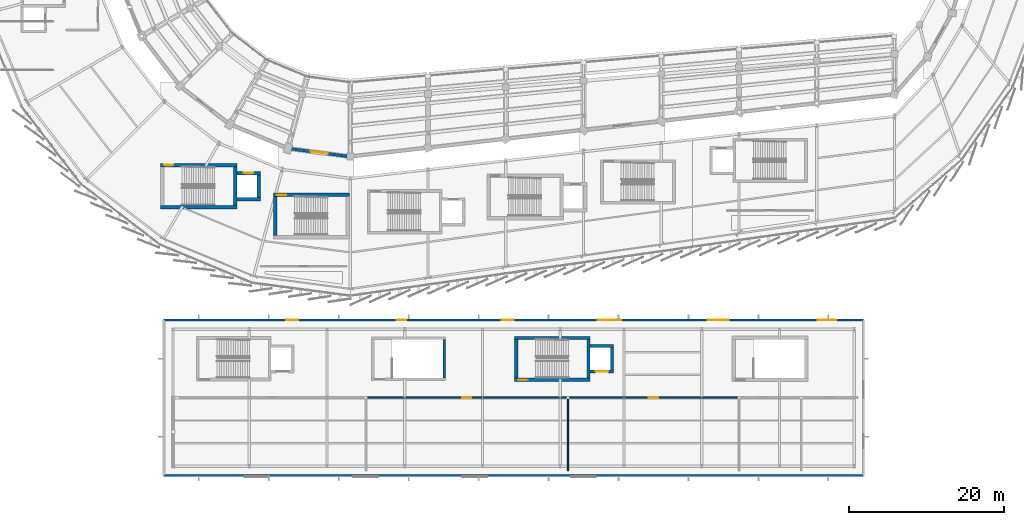
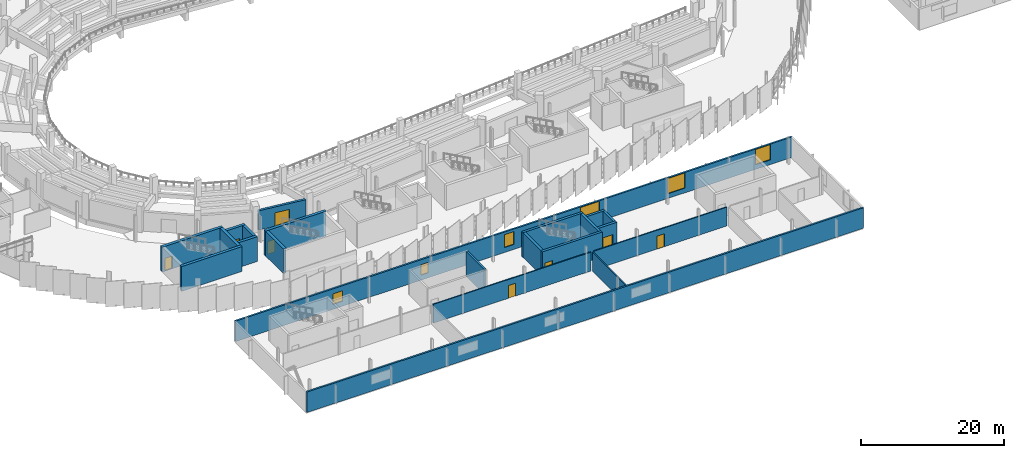
# One storey, part 99 of 120: 22 walls, 8 doors, 6 windows, 14 openings.
"""IFC4 building model written with IfcOpenShell, lengths in metres."""

from ifc_helpers import new_model, si_unit, direction, frame, frame_2d, origin, place, context, subcontext, project, spatial, rectangle, extrude, material, layer, layer_set, type_object, element, fill, save


model = new_model("IFC4")

# Units and contexts
model_context = context("Model", 3, precision=1e-05, world=origin(), true_north=direction((0.0, 1.0)))
body_context = subcontext(model_context, "Body", "Model", "MODEL_VIEW")
ifc_project = project(units=[si_unit("LENGTHUNIT", "METRE"), si_unit("AREAUNIT", "SQUARE_METRE"), si_unit("VOLUMEUNIT", "CUBIC_METRE"), si_unit("PLANEANGLEUNIT", "RADIAN"), si_unit("MASSUNIT", "GRAM", prefix="KILO")], contexts=[model_context])

# Site, building, storey
site_placement = place(None, origin())
site = spatial("IfcSite", under=ifc_project, at=site_placement, CompositionType="ELEMENT")
building_placement = place(site_placement, origin())
building = spatial("IfcBuilding", under=site, at=building_placement, Name="Sohan Crest Arena", CompositionType="ELEMENT")
storey_placement = place(building_placement, frame((0.0, 0.0, 13.5)))
storey = spatial("IfcBuildingStorey", under=building, at=storey_placement, Name="L03", CompositionType="ELEMENT", Elevation=13.5)

# Wall
ifc_material_1 = material(Name="Clinker brick and ceramic mosaic envelope wall", Category="masonry")
ifc_layer_1 = layer(ifc_material_1, 0.280029296875, Name="Clinker brick and ceramic mosaic envelope wall")
ifc_layer_set_1 = layer_set([ifc_layer_1], Name="Clinker brick and ceramic mosaic envelope wall")
wall_type_1 = type_object("IfcWallType", Name="WAL-EW02", PredefinedType="SOLIDWALL", material=ifc_layer_set_1)
wall_1_placement = place(storey_placement, frame((74.0, 6.0, 0.0), z_axis=(0.0, 0.0, 1.0), x_axis=(1.0, 0.0, 0.0)))
element("IfcWall", 1, at=wall_1_placement, inside=storey, type_object=wall_type_1, Name="External wall EW-138", PredefinedType="SOLIDWALL", context=body_context, shape_type="SweptSolid", body=[
    extrude(rectangle(XDim=90.0, YDim=0.280029296875, at=frame_2d((45.0, 0.0))), origin(), (0.0, 0.0, 1.0), 3.5),
])

# Wall, openings, windows
wall_2_placement = place(storey_placement, frame((164.0, 26.0, 0.0), z_axis=(0.0, 0.0, 1.0), x_axis=(-1.0, 0.0, 0.0)))
wall_2 = element("IfcWall", 2, at=wall_2_placement, inside=storey, type_object=wall_type_1, Name="External wall EW-140", PredefinedType="SOLIDWALL", context=body_context, shape_type="SweptSolid", body=[
    extrude(rectangle(XDim=90.0, YDim=0.280029296875, at=frame_2d((45.0, 0.0))), origin(), (0.0, 0.0, 1.0), 3.5),
])
opening_1_placement = place(wall_2_placement, frame((3.5, 0.0, 0.800048828125)))
opening_1 = element("IfcOpeningElement", 3, at=opening_1_placement, cuts=wall_2, Name="Opening W-067", PredefinedType="OPENING", context=body_context, shape_type="SweptSolid", body=[
    extrude(rectangle(XDim=2.39990234375, YDim=2.60009765625, at=frame_2d((1.199951171875, 1.300048828125))), frame((0.0, 0.14990234375, 0.0), z_axis=(0.0, -1.0, 0.0), x_axis=(1.0, 0.0, 0.0)), (0.0, 0.0, 1.0), 0.300048828125),
])
opening_2_placement = place(wall_2_placement, frame((17.3330078125, 0.0, 0.800048828125)))
opening_2 = element("IfcOpeningElement", 4, at=opening_2_placement, cuts=wall_2, Name="Opening W-068", PredefinedType="OPENING", context=body_context, shape_type="SweptSolid", body=[
    extrude(rectangle(XDim=2.699951171875, YDim=2.60009765625, at=frame_2d((1.35009765625, 1.300048828125))), frame((0.0, 0.14990234375, 0.0), z_axis=(0.0, -1.0, 0.0), x_axis=(1.0, 0.0, 0.0)), (0.0, 0.0, 1.0), 0.300048828125),
])
opening_3_placement = place(wall_2_placement, frame((31.1669921875, 0.0, 0.60009765625)))
opening_3 = element("IfcOpeningElement", 5, at=opening_3_placement, cuts=wall_2, Name="Opening W-069", PredefinedType="OPENING", context=body_context, shape_type="SweptSolid", body=[
    extrude(rectangle(XDim=3.0, YDim=2.800048828125, at=frame_2d((1.5, 1.39990234375))), frame((0.0, 0.14990234375, 0.0), z_axis=(0.0, -1.0, 0.0), x_axis=(1.0, 0.0, 0.0)), (0.0, 0.0, 1.0), 0.300048828125),
])
opening_4_placement = place(wall_2_placement, frame((45.0, 0.0, 0.85009765625)))
opening_4 = element("IfcOpeningElement", 6, at=opening_4_placement, cuts=wall_2, Name="Opening W-070", PredefinedType="OPENING", context=body_context, shape_type="SweptSolid", body=[
    extrude(rectangle(XDim=1.5, YDim=2.199951171875, at=frame_2d((0.75, 1.10009765625))), frame((0.0, 0.14990234375, 0.0), z_axis=(0.0, -1.0, 0.0), x_axis=(1.0, 0.0, 0.0)), (0.0, 0.0, 1.0), 0.300048828125),
])
opening_5_placement = place(wall_2_placement, frame((58.8330078125, 0.0, 0.85009765625)))
opening_5 = element("IfcOpeningElement", 7, at=opening_5_placement, cuts=wall_2, Name="Opening W-071", PredefinedType="OPENING", context=body_context, shape_type="SweptSolid", body=[
    extrude(rectangle(XDim=1.199951171875, YDim=1.800048828125, at=frame_2d((0.60009765625, 0.89990234375))), frame((0.0, 0.14990234375, 0.0), z_axis=(0.0, -1.0, 0.0), x_axis=(1.0, 0.0, 0.0)), (0.0, 0.0, 1.0), 0.300048828125),
])
opening_6_placement = place(wall_2_placement, frame((72.6669921875, 0.0, 0.85009765625)))
opening_6 = element("IfcOpeningElement", 8, at=opening_6_placement, cuts=wall_2, Name="Opening W-072", PredefinedType="OPENING", context=body_context, shape_type="SweptSolid", body=[
    extrude(rectangle(XDim=1.60009765625, YDim=1.800048828125, at=frame_2d((0.800048828125, 0.89990234375))), frame((0.0, 0.14990234375, 0.0), z_axis=(0.0, -1.0, 0.0), x_axis=(1.0, 0.0, 0.0)), (0.0, 0.0, 1.0), 0.300048828125),
])
ifc_material_2 = material(Name="Low-E double-glazed insulated glass", Category="glass")
window_type_1 = type_object("IfcWindowType", Name="WIN-W03", PartitioningType="SINGLE_PANEL", PredefinedType="WINDOW", material=ifc_material_2)
window_1_placement = place(opening_1_placement, origin())
window_1 = element("IfcWindow", 9, at=window_1_placement, inside=storey, type_object=window_type_1, Name="Catalan arched wing window W-067", OverallHeight=2.60009765625, OverallWidth=2.39990234375, PartitioningType="SINGLE_PANEL", PredefinedType="WINDOW", context=body_context, shape_type="SweptSolid", body=[
    extrude(rectangle(XDim=2.39990234375, YDim=2.60009765625, at=frame_2d((1.199951171875, 1.300048828125))), frame((0.0, 0.030029296875, 0.0), z_axis=(0.0, -1.0, 0.0), x_axis=(1.0, 0.0, 0.0)), (0.0, 0.0, 1.0), 0.06005859375),
])
fill(opening_1, window_1)
window_type_2 = type_object("IfcWindowType", Name="WIN-W04", PartitioningType="SINGLE_PANEL", PredefinedType="WINDOW", material=ifc_material_2)
window_2_placement = place(opening_2_placement, origin())
window_2 = element("IfcWindow", 10, at=window_2_placement, inside=storey, type_object=window_type_2, Name="Catalan arched wing window W-068", OverallHeight=2.60009765625, OverallWidth=2.699951171875, PartitioningType="SINGLE_PANEL", PredefinedType="WINDOW", context=body_context, shape_type="SweptSolid", body=[
    extrude(rectangle(XDim=2.699951171875, YDim=2.60009765625, at=frame_2d((1.35009765625, 1.300048828125))), frame((0.0, 0.030029296875, 0.0), z_axis=(0.0, -1.0, 0.0), x_axis=(1.0, 0.0, 0.0)), (0.0, 0.0, 1.0), 0.06005859375),
])
fill(opening_2, window_2)
window_type_3 = type_object("IfcWindowType", Name="WIN-W05", PartitioningType="SINGLE_PANEL", PredefinedType="WINDOW", material=ifc_material_2)
window_3_placement = place(opening_3_placement, origin())
window_3 = element("IfcWindow", 11, at=window_3_placement, inside=storey, type_object=window_type_3, Name="Catalan arched wing window W-069", OverallHeight=2.800048828125, OverallWidth=3.0, PartitioningType="SINGLE_PANEL", PredefinedType="WINDOW", context=body_context, shape_type="SweptSolid", body=[
    extrude(rectangle(XDim=3.0, YDim=2.800048828125, at=frame_2d((1.5, 1.39990234375))), frame((0.0, 0.030029296875, 0.0), z_axis=(0.0, -1.0, 0.0), x_axis=(1.0, 0.0, 0.0)), (0.0, 0.0, 1.0), 0.06005859375),
])
fill(opening_3, window_3)
window_type_4 = type_object("IfcWindowType", Name="WIN-W06", PartitioningType="SINGLE_PANEL", PredefinedType="WINDOW", material=ifc_material_2)
window_4_placement = place(opening_4_placement, origin())
window_4 = element("IfcWindow", 12, at=window_4_placement, inside=storey, type_object=window_type_4, Name="Catalan arched wing window W-070", OverallHeight=2.199951171875, OverallWidth=1.5, PartitioningType="SINGLE_PANEL", PredefinedType="WINDOW", context=body_context, shape_type="SweptSolid", body=[
    extrude(rectangle(XDim=1.5, YDim=2.199951171875, at=frame_2d((0.75, 1.10009765625))), frame((0.0, 0.030029296875, 0.0), z_axis=(0.0, -1.0, 0.0), x_axis=(1.0, 0.0, 0.0)), (0.0, 0.0, 1.0), 0.06005859375),
])
fill(opening_4, window_4)
window_type_5 = type_object("IfcWindowType", Name="WIN-W07", PartitioningType="SINGLE_PANEL", PredefinedType="WINDOW", material=ifc_material_2)
window_5_placement = place(opening_5_placement, origin())
window_5 = element("IfcWindow", 13, at=window_5_placement, inside=storey, type_object=window_type_5, Name="Catalan arched wing window W-071", OverallHeight=1.800048828125, OverallWidth=1.199951171875, PartitioningType="SINGLE_PANEL", PredefinedType="WINDOW", context=body_context, shape_type="SweptSolid", body=[
    extrude(rectangle(XDim=1.199951171875, YDim=1.800048828125, at=frame_2d((0.60009765625, 0.89990234375))), frame((0.0, 0.030029296875, 0.0), z_axis=(0.0, -1.0, 0.0), x_axis=(1.0, 0.0, 0.0)), (0.0, 0.0, 1.0), 0.06005859375),
])
fill(opening_5, window_5)
window_type_6 = type_object("IfcWindowType", Name="WIN-W08", PartitioningType="SINGLE_PANEL", PredefinedType="WINDOW", material=ifc_material_2)
window_6_placement = place(opening_6_placement, origin())
window_6 = element("IfcWindow", 14, at=window_6_placement, inside=storey, type_object=window_type_6, Name="Catalan arched wing window W-072", OverallHeight=1.800048828125, OverallWidth=1.60009765625, PartitioningType="SINGLE_PANEL", PredefinedType="WINDOW", context=body_context, shape_type="SweptSolid", body=[
    extrude(rectangle(XDim=1.60009765625, YDim=1.800048828125, at=frame_2d((0.800048828125, 0.89990234375))), frame((0.0, 0.030029296875, 0.0), z_axis=(0.0, -1.0, 0.0), x_axis=(1.0, 0.0, 0.0)), (0.0, 0.0, 1.0), 0.06005859375),
])
fill(opening_6, window_6)

# Wall, opening, door
ifc_material_3 = material(Name="Acoustic insulated bowl drum enclosure wall", Category="masonry")
ifc_layer_2 = layer(ifc_material_3, 0.3701171875, Name="Acoustic insulated bowl drum enclosure wall")
ifc_layer_set_2 = layer_set([ifc_layer_2], Name="Acoustic insulated bowl drum enclosure wall")
wall_type_2 = type_object("IfcWallType", Name="WAL-EW05", PredefinedType="SOLIDWALL", material=ifc_layer_set_2)
wall_3_placement = place(storey_placement, frame((90.4130859375, 47.9990234375, 0.0), z_axis=(0.0, 0.0, 1.0), x_axis=(0.991432160885, -0.130622625772, 0.0)))
wall_3 = element("IfcWall", 15, at=wall_3_placement, inside=storey, type_object=wall_type_2, Name="Acoustic bowl drum wall BW-L03-12", PredefinedType="SOLIDWALL", context=body_context, shape_type="SweptSolid", body=[
    extrude(rectangle(XDim=7.212646484375, YDim=0.3701171875, at=frame_2d((3.6064453125, 0.0))), origin(), (0.0, 0.0, 1.0), 3.300048828125),
])
opening_7_placement = place(wall_3_placement, frame((2.506103515625, 0.0, 0.0)))
opening_7 = element("IfcOpeningElement", 16, at=opening_7_placement, cuts=wall_3, Name="Opening VD-L03-12", PredefinedType="OPENING", context=body_context, shape_type="SweptSolid", body=[
    extrude(rectangle(XDim=2.199951171875, YDim=2.300048828125, at=frame_2d((1.10009765625, 1.14990234375))), frame((0.0, 0.195068359375, 0.0), z_axis=(0.0, -1.0, 0.0), x_axis=(1.0, 0.0, 0.0)), (0.0, 0.0, 1.0), 0.39013671875),
])
ifc_material_4 = material(Name="Fire-rated steel double escape door", Category="steel")
door_type_1 = type_object("IfcDoorType", Name="DR-FD01", OperationType="DOUBLE_DOOR_SINGLE_SWING", PredefinedType="DOOR", material=ifc_material_4)
door_1_placement = place(opening_7_placement, origin())
door_1 = element("IfcDoor", 17, at=door_1_placement, inside=storey, type_object=door_type_1, Name="Bowl vomitory portal fire door VD-L03-12", OperationType="DOUBLE_DOOR_SINGLE_SWING", OverallHeight=2.300048828125, OverallWidth=2.199951171875, PredefinedType="DOOR", context=body_context, shape_type="SweptSolid", body=[
    extrude(rectangle(XDim=2.199951171875, YDim=2.300048828125, at=frame_2d((1.10009765625, 1.14990234375))), frame((0.0, 0.02490234375, 0.0), z_axis=(0.0, -1.0, 0.0), x_axis=(1.0, 0.0, 0.0)), (0.0, 0.0, 1.0), 0.050048828125),
])
fill(opening_7, door_1)

ifc_material_5 = material(Name="Back-of-house masonry room partition", Category="masonry")
ifc_layer_3 = layer(ifc_material_5, 0.179931640625, Name="Back-of-house masonry room partition")
ifc_layer_set_3 = layer_set([ifc_layer_3], Name="Back-of-house masonry room partition")
wall_type_3 = type_object("IfcWallType", Name="WAL-PW05", PredefinedType="PARTITIONING", material=ifc_layer_set_3)
wall_4_placement = place(storey_placement, frame((100.25, 16.0, 0.0), z_axis=(0.0, 0.0, 1.0), x_axis=(1.0, 0.0, 0.0)))
wall_4 = element("IfcWall", 18, at=wall_4_placement, inside=storey, type_object=wall_type_3, Name="Interior partition wall PW-0932", PredefinedType="PARTITIONING", context=body_context, shape_type="SweptSolid", body=[
    extrude(rectangle(XDim=25.5, YDim=0.179931640625, at=frame_2d((12.75, 0.0))), origin(), (0.0, 0.0, 1.0), 3.219970703125),
])
opening_8_placement = place(wall_4_placement, frame((12.179931640625, 0.0, 0.0)))
opening_8 = element("IfcOpeningElement", 19, at=opening_8_placement, cuts=wall_4, Name="Opening V5D-0284", PredefinedType="OPENING", context=body_context, shape_type="SweptSolid", body=[
    extrude(rectangle(XDim=1.139892578125, YDim=2.179931640625, at=frame_2d((0.56982421875, 1.08984375))), frame((0.0, 0.099853515625, 0.0), z_axis=(0.0, -1.0, 0.0), x_axis=(1.0, 0.0, 0.0)), (0.0, 0.0, 1.0), 0.199951171875),
])
ifc_material_6 = material(Name="Solid oak acoustic room door", Category="wood")
door_type_2 = type_object("IfcDoorType", Name="DR-ID11", OperationType="NOTDEFINED", PredefinedType="DOOR", material=ifc_material_6)
door_2_placement = place(opening_8_placement, origin())
door_2 = element("IfcDoor", 20, at=door_2_placement, inside=storey, type_object=door_type_2, Name="Electrical Switchboard Room door V5D-0284", OperationType="SINGLE_SWING_LEFT", OverallHeight=2.179931640625, OverallWidth=1.139892578125, PredefinedType="DOOR", context=body_context, shape_type="SweptSolid", body=[
    extrude(rectangle(XDim=1.139892578125, YDim=2.179931640625, at=frame_2d((0.56982421875, 1.08984375))), frame((0.0, 0.02490234375, 0.0), z_axis=(0.0, -1.0, 0.0), x_axis=(1.0, 0.0, 0.0)), (0.0, 0.0, 1.0), 0.050048828125),
])
fill(opening_8, door_2)

# Wall
wall_5_placement = place(storey_placement, frame((126.0, 6.60009765625, 0.0), z_axis=(0.0, 0.0, 1.0), x_axis=(0.0, 1.0, 0.0)))
element("IfcWall", 21, at=wall_5_placement, inside=storey, type_object=wall_type_3, Name="Interior partition wall PW-0933", PredefinedType="PARTITIONING", context=body_context, shape_type="SweptSolid", body=[
    extrude(rectangle(XDim=9.199951171875, YDim=0.179931640625, at=frame_2d((4.60009765625, 0.0))), origin(), (0.0, 0.0, 1.0), 3.219970703125),
])

# Wall, opening, door
wall_6_placement = place(storey_placement, frame((126.25, 16.0, 0.0), z_axis=(0.0, 0.0, 1.0), x_axis=(1.0, 0.0, 0.0)))
wall_6 = element("IfcWall", 22, at=wall_6_placement, inside=storey, type_object=wall_type_3, Name="Interior partition wall PW-0934", PredefinedType="PARTITIONING", context=body_context, shape_type="SweptSolid", body=[
    extrude(rectangle(XDim=21.5, YDim=0.179931640625, at=frame_2d((10.75, 0.0))), origin(), (0.0, 0.0, 1.0), 3.219970703125),
])
opening_9_placement = place(wall_6_placement, frame((10.1298828125, 0.0, 0.0)))
opening_9 = element("IfcOpeningElement", 23, at=opening_9_placement, cuts=wall_6, Name="Opening V5D-0285", PredefinedType="OPENING", context=body_context, shape_type="SweptSolid", body=[
    extrude(rectangle(XDim=1.239990234375, YDim=2.199951171875, at=frame_2d((0.6201171875, 1.10009765625))), frame((0.0, 0.099853515625, 0.0), z_axis=(0.0, -1.0, 0.0), x_axis=(1.0, 0.0, 0.0)), (0.0, 0.0, 1.0), 0.199951171875),
])
door_type_3 = type_object("IfcDoorType", Name="DR-ID12", OperationType="NOTDEFINED", PredefinedType="DOOR", material=ifc_material_6)
door_3_placement = place(opening_9_placement, origin())
door_3 = element("IfcDoor", 24, at=door_3_placement, inside=storey, type_object=door_type_3, Name="Scoreboard and Rigging Workshop door V5D-0285", OperationType="SINGLE_SWING_RIGHT", OverallHeight=2.199951171875, OverallWidth=1.239990234375, PredefinedType="DOOR", context=body_context, shape_type="SweptSolid", body=[
    extrude(rectangle(XDim=1.239990234375, YDim=2.199951171875, at=frame_2d((0.6201171875, 1.10009765625))), frame((0.0, 0.02490234375, 0.0), z_axis=(0.0, -1.0, 0.0), x_axis=(1.0, 0.0, 0.0)), (0.0, 0.0, 1.0), 0.050048828125),
])
fill(opening_9, door_3)

# Walls
ifc_material_7 = material(Name="Concrete C40/50", Category="concrete")
ifc_layer_4 = layer(ifc_material_7, 0.300048828125, Name="Concrete C40/50")
ifc_layer_set_4 = layer_set([ifc_layer_4], Name="Concrete C40/50")
wall_type_4 = type_object("IfcWallType", Name="WAL-SW01", PredefinedType="SHEAR", material=ifc_layer_set_4)
wall_7_placement = place(storey_placement, frame((110.10009765625, 18.5, 0.0), z_axis=(0.0, 0.0, 1.0), x_axis=(0.0, 1.0, 0.0)))
element("IfcWall", 25, at=wall_7_placement, inside=storey, type_object=wall_type_4, Name="Core shear wall SW-0524", PredefinedType="SHEAR", context=body_context, shape_type="SweptSolid", body=[
    extrude(rectangle(XDim=5.0, YDim=0.300048828125, at=frame_2d((2.5, 0.0))), origin(), (0.0, 0.0, 1.0), 4.25),
])
ifc_layer_5 = layer(ifc_material_7, 0.39990234375, Name="Concrete C40/50")
ifc_layer_set_5 = layer_set([ifc_layer_5], Name="Concrete C40/50")
wall_type_5 = type_object("IfcWallType", Name="WAL-SW03", PredefinedType="SHEAR", material=ifc_layer_set_5)
for number, where, z_axis, x_axis, name in (
    (26, (119.35009765625, 18.5, 0.0), (0.0, 0.0, 1.0), (0.0, 1.0, 0.0), "Core shear wall SW-0719"),
    (27, (128.64990234375, 18.5, 0.0), (0.0, 0.0, 1.0), (0.0, 1.0, 0.0), "Core shear wall SW-0720"),
):
    element("IfcWall", number, at=place(storey_placement, frame(where, z_axis=z_axis, x_axis=x_axis)), inside=storey, type_object=wall_type_5, Name=name, PredefinedType="SHEAR", context=body_context, shape_type="SweptSolid", body=[
        extrude(rectangle(XDim=5.0, YDim=0.39990234375, at=frame_2d((2.5, 0.0))), origin(), (0.0, 0.0, 1.0), 4.25),
    ])

# Wall, opening, door
wall_8_placement = place(storey_placement, frame((119.14990234375, 18.300048828125, 0.0), z_axis=(0.0, 0.0, 1.0), x_axis=(1.0, 0.0, 0.0)))
wall_8 = element("IfcWall", 28, at=wall_8_placement, inside=storey, type_object=wall_type_5, Name="Core shear wall SW-0721", PredefinedType="SHEAR", context=body_context, shape_type="SweptSolid", body=[
    extrude(rectangle(XDim=9.7001953125, YDim=0.39990234375, at=frame_2d((4.85009765625, 0.0))), origin(), (0.0, 0.0, 1.0), 4.25),
])
opening_10_placement = place(wall_8_placement, frame((0.449951171875, 0.0, 0.0)))
opening_10 = element("IfcOpeningElement", 29, at=opening_10_placement, cuts=wall_8, Name="Opening SD-0195", PredefinedType="OPENING", context=body_context, shape_type="SweptSolid", body=[
    extrude(rectangle(XDim=1.199951171875, YDim=2.199951171875, at=frame_2d((0.60009765625, 1.10009765625))), frame((0.0, 0.2099609375, 0.0), z_axis=(0.0, -1.0, 0.0), x_axis=(1.0, 0.0, 0.0)), (0.0, 0.0, 1.0), 0.419921875),
])
ifc_material_8 = material(Name="Fire-rated steel stair and lobby door", Category="steel")
door_type_4 = type_object("IfcDoorType", Name="DR-FD04", OperationType="NOTDEFINED", PredefinedType="DOOR", material=ifc_material_8)
door_4_placement = place(opening_10_placement, frame((1.199951171875, 0.0, 0.0), z_axis=(0.0, 0.0, 1.0), x_axis=(-1.0, 0.0, 0.0)))
door_4 = element("IfcDoor", 30, at=door_4_placement, inside=storey, type_object=door_type_4, Name="Protected stair door SD-0195", OperationType="SINGLE_SWING_LEFT", OverallHeight=2.199951171875, OverallWidth=1.199951171875, PredefinedType="DOOR", context=body_context, shape_type="SweptSolid", body=[
    extrude(rectangle(XDim=1.199951171875, YDim=2.199951171875, at=frame_2d((0.60009765625, 1.10009765625))), frame((0.0, 0.02490234375, 0.0), z_axis=(0.0, -1.0, 0.0), x_axis=(1.0, 0.0, 0.0)), (0.0, 0.0, 1.0), 0.050048828125),
])
fill(opening_10, door_4)

# Walls
wall_9_placement = place(storey_placement, frame((119.14990234375, 23.699951171875, 0.0), z_axis=(0.0, 0.0, 1.0), x_axis=(1.0, 0.0, 0.0)))
element("IfcWall", 31, at=wall_9_placement, inside=storey, type_object=wall_type_5, Name="Core shear wall SW-0722", PredefinedType="SHEAR", context=body_context, shape_type="SweptSolid", body=[
    extrude(rectangle(XDim=9.7001953125, YDim=0.39990234375, at=frame_2d((4.85009765625, 0.0))), origin(), (0.0, 0.0, 1.0), 4.25),
])
wall_10_placement = place(storey_placement, frame((131.64990234375, 19.550048828125, 0.0), z_axis=(0.0, 0.0, 1.0), x_axis=(0.0, 1.0, 0.0)))
element("IfcWall", 32, at=wall_10_placement, inside=storey, type_object=wall_type_5, Name="Core shear wall SW-0723", PredefinedType="SHEAR", context=body_context, shape_type="SweptSolid", body=[
    extrude(rectangle(XDim=2.89990234375, YDim=0.39990234375, at=frame_2d((1.449951171875, 0.0))), origin(), (0.0, 0.0, 1.0), 4.25),
])

# Wall, opening, door
wall_11_placement = place(storey_placement, frame((128.85009765625, 19.35009765625, 0.0), z_axis=(0.0, 0.0, 1.0), x_axis=(1.0, 0.0, 0.0)))
wall_11 = element("IfcWall", 33, at=wall_11_placement, inside=storey, type_object=wall_type_5, Name="Core shear wall SW-0724", PredefinedType="SHEAR", context=body_context, shape_type="SweptSolid", body=[
    extrude(rectangle(XDim=3.0, YDim=0.39990234375, at=frame_2d((1.5, 0.0))), origin(), (0.0, 0.0, 1.0), 4.25),
])
opening_11_placement = place(wall_11_placement, frame((0.699951171875, 0.0, 0.0)))
opening_11 = element("IfcOpeningElement", 34, at=opening_11_placement, cuts=wall_11, Name="Opening LD-GF02-L03", PredefinedType="OPENING", context=body_context, shape_type="SweptSolid", body=[
    extrude(rectangle(XDim=1.60009765625, YDim=2.35009765625, at=frame_2d((0.800048828125, 1.175048828125))), frame((0.0, 0.2099609375, 0.0), z_axis=(0.0, -1.0, 0.0), x_axis=(1.0, 0.0, 0.0)), (0.0, 0.0, 1.0), 0.419921875),
])
ifc_material_9 = material(Name="Stainless steel goods lift landing door", Category="steel")
door_type_5 = type_object("IfcDoorType", Name="DR-LD03", OperationType="SLIDING_TO_LEFT", PredefinedType="DOOR", material=ifc_material_9)
door_5_placement = place(opening_11_placement, origin())
door_5 = element("IfcDoor", 35, at=door_5_placement, inside=storey, type_object=door_type_5, Name="Sliding lift landing door LD-GF02-L03", OperationType="SLIDING_TO_LEFT", OverallHeight=2.35009765625, OverallWidth=1.60009765625, PredefinedType="DOOR", context=body_context, shape_type="SweptSolid", body=[
    extrude(rectangle(XDim=1.60009765625, YDim=2.35009765625, at=frame_2d((0.800048828125, 1.175048828125))), frame((0.0, 0.02490234375, 0.0), z_axis=(0.0, -1.0, 0.0), x_axis=(1.0, 0.0, 0.0)), (0.0, 0.0, 1.0), 0.050048828125),
])
fill(opening_11, door_5)

# Walls
wall_12_placement = place(storey_placement, frame((128.85009765625, 22.64990234375, 0.0), z_axis=(0.0, 0.0, 1.0), x_axis=(1.0, 0.0, 0.0)))
element("IfcWall", 36, at=wall_12_placement, inside=storey, type_object=wall_type_5, Name="Core shear wall SW-0725", PredefinedType="SHEAR", context=body_context, shape_type="SweptSolid", body=[
    extrude(rectangle(XDim=3.0, YDim=0.39990234375, at=frame_2d((1.5, 0.0))), origin(), (0.0, 0.0, 1.0), 4.25),
])
ifc_layer_6 = layer(ifc_material_7, 0.449951171875, Name="Concrete C40/50")
ifc_layer_set_6 = layer_set([ifc_layer_6], Name="Concrete C40/50")
wall_type_6 = type_object("IfcWallType", Name="WAL-SW04", PredefinedType="SHEAR", material=ifc_layer_set_6)
wall_13_placement = place(storey_placement, frame((83.175048828125, 40.699951171875, 0.0), z_axis=(0.0, 0.0, 1.0), x_axis=(0.0, 1.0, 0.0)))
element("IfcWall", 37, at=wall_13_placement, inside=storey, type_object=wall_type_6, Name="Core shear wall SW-0170", PredefinedType="SHEAR", context=body_context, shape_type="SweptSolid", body=[
    extrude(rectangle(XDim=5.0, YDim=0.449951171875, at=frame_2d((2.5, 0.0))), origin(), (0.0, 0.0, 1.0), 4.25),
])
wall_14_placement = place(storey_placement, frame((73.60009765625, 40.47509765625, 0.0), z_axis=(0.0, 0.0, 1.0), x_axis=(1.0, 0.0, 0.0)))
element("IfcWall", 38, at=wall_14_placement, inside=storey, type_object=wall_type_6, Name="Core shear wall SW-0171", PredefinedType="SHEAR", context=body_context, shape_type="SweptSolid", body=[
    extrude(rectangle(XDim=9.7998046875, YDim=0.449951171875, at=frame_2d((4.89990234375, 0.0))), origin(), (0.0, 0.0, 1.0), 4.25),
])

# Wall, opening, door
wall_15_placement = place(storey_placement, frame((73.60009765625, 45.925048828125, 0.0), z_axis=(0.0, 0.0, 1.0), x_axis=(1.0, 0.0, 0.0)))
wall_15 = element("IfcWall", 39, at=wall_15_placement, inside=storey, type_object=wall_type_6, Name="Core shear wall SW-0172", PredefinedType="SHEAR", context=body_context, shape_type="SweptSolid", body=[
    extrude(rectangle(XDim=9.7998046875, YDim=0.449951171875, at=frame_2d((4.89990234375, 0.0))), origin(), (0.0, 0.0, 1.0), 4.25),
])
opening_12_placement = place(wall_15_placement, frame((0.449951171875, 0.0, 0.0)))
opening_12 = element("IfcOpeningElement", 40, at=opening_12_placement, cuts=wall_15, Name="Opening SD-0051", PredefinedType="OPENING", context=body_context, shape_type="SweptSolid", body=[
    extrude(rectangle(XDim=1.199951171875, YDim=2.199951171875, at=frame_2d((0.60009765625, 1.10009765625))), frame((0.0, 0.23486328125, 0.0), z_axis=(0.0, -1.0, 0.0), x_axis=(1.0, 0.0, 0.0)), (0.0, 0.0, 1.0), 0.469970703125),
])
door_6_placement = place(opening_12_placement, origin())
door_6 = element("IfcDoor", 41, at=door_6_placement, inside=storey, type_object=door_type_4, Name="Protected stair door SD-0051", OperationType="SINGLE_SWING_LEFT", OverallHeight=2.199951171875, OverallWidth=1.199951171875, PredefinedType="DOOR", context=body_context, shape_type="SweptSolid", body=[
    extrude(rectangle(XDim=1.199951171875, YDim=2.199951171875, at=frame_2d((0.60009765625, 1.10009765625))), frame((0.0, 0.02490234375, 0.0), z_axis=(0.0, -1.0, 0.0), x_axis=(1.0, 0.0, 0.0)), (0.0, 0.0, 1.0), 0.050048828125),
])
fill(opening_12, door_6)

# Walls
wall_16_placement = place(storey_placement, frame((86.22509765625, 41.75, 0.0), z_axis=(0.0, 0.0, 1.0), x_axis=(0.0, 1.0, 0.0)))
element("IfcWall", 42, at=wall_16_placement, inside=storey, type_object=wall_type_6, Name="Core shear wall SW-0173", PredefinedType="SHEAR", context=body_context, shape_type="SweptSolid", body=[
    extrude(rectangle(XDim=2.89990234375, YDim=0.449951171875, at=frame_2d((1.449951171875, 0.0))), origin(), (0.0, 0.0, 1.0), 4.25),
])
wall_17_placement = place(storey_placement, frame((83.39990234375, 41.52490234375, 0.0), z_axis=(0.0, 0.0, 1.0), x_axis=(1.0, 0.0, 0.0)))
element("IfcWall", 43, at=wall_17_placement, inside=storey, type_object=wall_type_6, Name="Core shear wall SW-0174", PredefinedType="SHEAR", context=body_context, shape_type="SweptSolid", body=[
    extrude(rectangle(XDim=3.050048828125, YDim=0.449951171875, at=frame_2d((1.52490234375, 0.0))), origin(), (0.0, 0.0, 1.0), 4.25),
])

# Wall, opening, door
wall_18_placement = place(storey_placement, frame((83.39990234375, 44.875, 0.0), z_axis=(0.0, 0.0, 1.0), x_axis=(1.0, 0.0, 0.0)))
wall_18 = element("IfcWall", 44, at=wall_18_placement, inside=storey, type_object=wall_type_6, Name="Core shear wall SW-0175", PredefinedType="SHEAR", context=body_context, shape_type="SweptSolid", body=[
    extrude(rectangle(XDim=3.050048828125, YDim=0.449951171875, at=frame_2d((1.52490234375, 0.0))), origin(), (0.0, 0.0, 1.0), 4.25),
])
opening_13_placement = place(wall_18_placement, frame((0.925048828125, 0.0, 0.0)))
opening_13 = element("IfcOpeningElement", 45, at=opening_13_placement, cuts=wall_18, Name="Opening LD-LP01-L03", PredefinedType="OPENING", context=body_context, shape_type="SweptSolid", body=[
    extrude(rectangle(XDim=1.199951171875, YDim=2.199951171875, at=frame_2d((0.60009765625, 1.10009765625))), frame((0.0, 0.23486328125, 0.0), z_axis=(0.0, -1.0, 0.0), x_axis=(1.0, 0.0, 0.0)), (0.0, 0.0, 1.0), 0.469970703125),
])
ifc_material_10 = material(Name="Stainless steel passenger lift landing door", Category="steel")
door_type_6 = type_object("IfcDoorType", Name="DR-LD02", OperationType="SLIDING_TO_LEFT", PredefinedType="DOOR", material=ifc_material_10)
door_7_placement = place(opening_13_placement, origin())
door_7 = element("IfcDoor", 46, at=door_7_placement, inside=storey, type_object=door_type_6, Name="Sliding lift landing door LD-LP01-L03", OperationType="SLIDING_TO_LEFT", OverallHeight=2.199951171875, OverallWidth=1.199951171875, PredefinedType="DOOR", context=body_context, shape_type="SweptSolid", body=[
    extrude(rectangle(XDim=1.199951171875, YDim=2.199951171875, at=frame_2d((0.60009765625, 1.10009765625))), frame((0.0, 0.02490234375, 0.0), z_axis=(0.0, -1.0, 0.0), x_axis=(1.0, 0.0, 0.0)), (0.0, 0.0, 1.0), 0.050048828125),
])
fill(opening_13, door_7)

# Wall
wall_19_placement = place(storey_placement, frame((88.324951171875, 36.860107421875, 0.0), z_axis=(0.0, 0.0, 1.0), x_axis=(0.0, 1.0, 0.0)))
element("IfcWall", 47, at=wall_19_placement, inside=storey, type_object=wall_type_6, Name="Core shear wall SW-0749", PredefinedType="SHEAR", context=body_context, shape_type="SweptSolid", body=[
    extrude(rectangle(XDim=5.0, YDim=0.449951171875, at=frame_2d((2.5, 0.0))), origin(), (0.0, 0.0, 1.0), 4.25),
])

# Wall, opening, door
wall_20_placement = place(storey_placement, frame((88.10009765625, 42.0849609375, 0.0), z_axis=(0.0, 0.0, 1.0), x_axis=(1.0, 0.0, 0.0)))
wall_20 = element("IfcWall", 48, at=wall_20_placement, inside=storey, type_object=wall_type_6, Name="Core shear wall SW-0752", PredefinedType="SHEAR", context=body_context, shape_type="SweptSolid", body=[
    extrude(rectangle(XDim=9.7998046875, YDim=0.449951171875, at=frame_2d((4.89990234375, 0.0))), origin(), (0.0, 0.0, 1.0), 4.25),
])
opening_14_placement = place(wall_20_placement, frame((0.449951171875, 0.0, 0.0)))
opening_14 = element("IfcOpeningElement", 49, at=opening_14_placement, cuts=wall_20, Name="Opening SD-0203", PredefinedType="OPENING", context=body_context, shape_type="SweptSolid", body=[
    extrude(rectangle(XDim=1.199951171875, YDim=2.199951171875, at=frame_2d((0.60009765625, 1.10009765625))), frame((0.0, 0.23486328125, 0.0), z_axis=(0.0, -1.0, 0.0), x_axis=(1.0, 0.0, 0.0)), (0.0, 0.0, 1.0), 0.469970703125),
])
door_8_placement = place(opening_14_placement, origin())
door_8 = element("IfcDoor", 50, at=door_8_placement, inside=storey, type_object=door_type_4, Name="Protected stair door SD-0203", OperationType="SINGLE_SWING_LEFT", OverallHeight=2.199951171875, OverallWidth=1.199951171875, PredefinedType="DOOR", context=body_context, shape_type="SweptSolid", body=[
    extrude(rectangle(XDim=1.199951171875, YDim=2.199951171875, at=frame_2d((0.60009765625, 1.10009765625))), frame((0.0, 0.02490234375, 0.0), z_axis=(0.0, -1.0, 0.0), x_axis=(1.0, 0.0, 0.0)), (0.0, 0.0, 1.0), 0.050048828125),
])
fill(opening_14, door_8)

save(model, "model.ifc")
